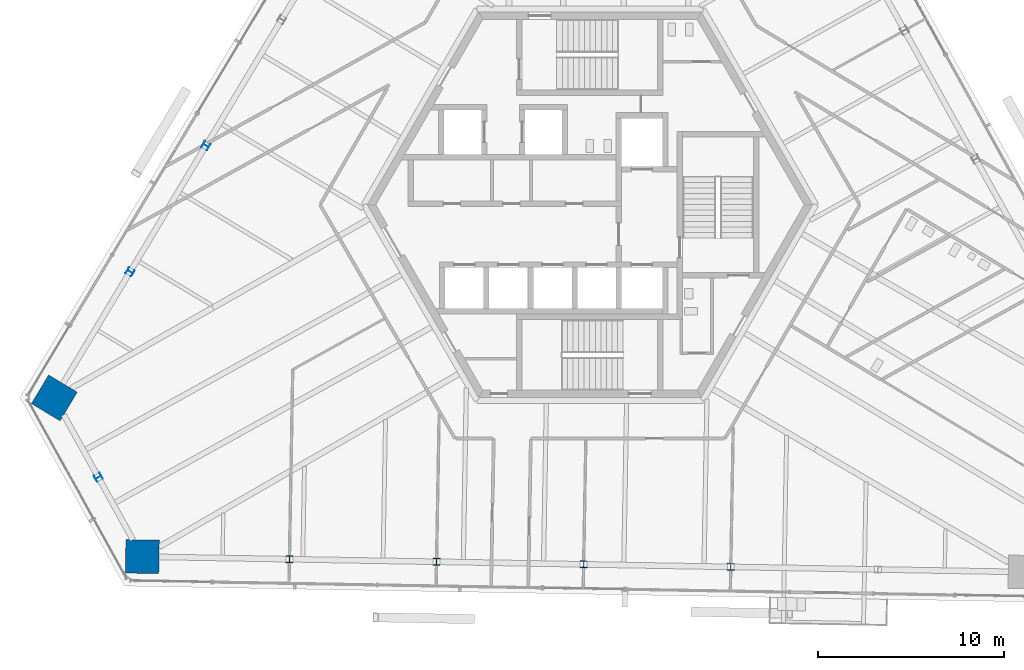
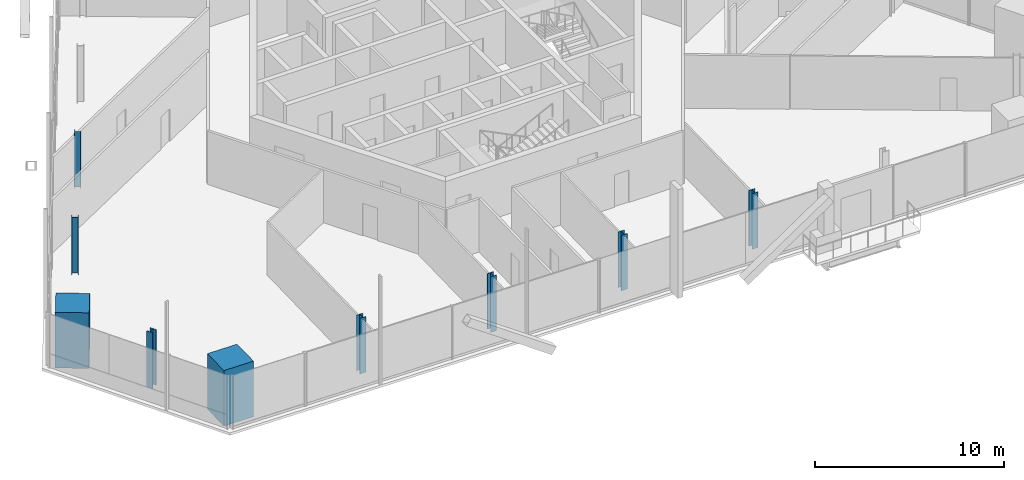
# One storey, part 1 of 21: 9 columns.
"""IFC4 building model written with IfcOpenShell, lengths in metres."""

from ifc_helpers import new_model, si_unit, direction, frame, origin, origin_2d, place, context, subcontext, project, spatial, rectangle, i_section, extrude, source, transform, mapped, material, material_profile, profile_set, type_object, element, save


model = new_model("IFC4")

# Units and contexts
model_context = context("Model", 3, precision=1e-05, world=origin(), true_north=direction((0.0, 1.0)))
body_context = subcontext(model_context, "Body", "Model", "MODEL_VIEW")
ifc_project = project(units=[si_unit("LENGTHUNIT", "METRE"), si_unit("AREAUNIT", "SQUARE_METRE"), si_unit("VOLUMEUNIT", "CUBIC_METRE"), si_unit("PLANEANGLEUNIT", "RADIAN"), si_unit("MASSUNIT", "GRAM", prefix="KILO")], contexts=[model_context])

# Site, building, storey
site_placement = place(None, origin())
site = spatial("IfcSite", under=ifc_project, at=site_placement, CompositionType="ELEMENT")
building_placement = place(site_placement, origin())
building = spatial("IfcBuilding", under=site, at=building_placement, Name="Triune Harvest Tower", CompositionType="ELEMENT")
storey_placement = place(building_placement, frame((0.0, 0.0, 201.5)))
storey = spatial("IfcBuildingStorey", under=building, at=storey_placement, Name="L52", CompositionType="ELEMENT", Elevation=201.5)

# Columns
ifc_material_1 = material(Name="Concrete 70 MPa", Category="concrete")
ifc_material_profile_1 = material_profile(ifc_material_1, rectangle(XDim=1.800048828125, YDim=1.800048828125, at=origin_2d()), Name="Composite 1800x1800")
ifc_profile_set_1 = profile_set([ifc_material_profile_1], Name="Concrete 70 MPa")
column_type_1 = type_object("IfcColumnType", Name="MC-5 Mega column Composite 1800x1800", PredefinedType="COLUMN", material=ifc_profile_set_1)
shared_shape_1 = source(origin(), body_context, "Body", "SweptSolid", [
    extrude(rectangle(XDim=1.800048828125, YDim=1.800048828125, at=origin_2d()), origin(), (0.0, 0.0, 1.0), 3.60009765625),
])
for number, where, z_axis, x_axis, name in (
    (1, (-28.85595703125, -10.406005859375, 0.0), (0.0, 0.0, 1.0), (-0.51503657887, -0.857168199612, 0.0), "col/L52/M14"),
    (2, (-24.1162109375, -18.956787109375, 0.0), (0.0, 0.0, 1.0), (0.999847695156, -0.017452406437, 0.0), "col/L52/M16"),
):
    element("IfcColumn", number, at=place(storey_placement, frame(where, z_axis=z_axis, x_axis=x_axis)), inside=storey, type_object=column_type_1, Name=name, PredefinedType="COLUMN", context=body_context, shape_type="MappedRepresentation", body=[
        mapped(shared_shape_1, transform((0.0, 0.0, 0.0), scale=1.0)),
    ])
ifc_material_2 = material(Name="Steel ASTM A992 Gr 50", Category="steel")
ifc_material_profile_2 = material_profile(ifc_material_2, i_section(OverallWidth=0.370849609375, OverallDepth=0.36328125, WebThickness=0.013427734375, FlangeThickness=0.021728515625, at=origin_2d()), Name="W14x109")
ifc_profile_set_2 = profile_set([ifc_material_profile_2], Name="Steel ASTM A992 Gr 50")
column_type_2 = type_object("IfcColumnType", Name="PC-5 Perimeter column W14x109", PredefinedType="COLUMN", material=ifc_profile_set_2)
shared_shape_2 = source(origin(), body_context, "Body", "SweptSolid", [
    extrude(i_section(OverallWidth=0.370849609375, OverallDepth=0.36328125, WebThickness=0.013427734375, FlangeThickness=0.021728515625, at=origin_2d()), origin(), (0.0, 0.0, 1.0), 3.60009765625),
])
for number, where, z_axis, x_axis, name in (
    (3, (-20.6904296875, 3.183837890625, 0.0), (0.0, 0.0, 1.0), (-0.51503657887, -0.857168199612, 0.0), "col/L52/P12"),
    (4, (-24.773193359375, -3.611083984375, 0.0), (0.0, 0.0, 1.0), (-0.51503657887, -0.857168199612, 0.0), "col/L52/P13"),
    (5, (-26.486083984375, -14.681396484375, 0.0), (0.0, 0.0, 1.0), (0.484808093746, -0.87462055329, 0.0), "col/L52/P15"),
    (6, (-16.190185546875, -19.09521484375, 0.0), (0.0, 0.0, 1.0), (0.999847695156, -0.017452406437, 0.0), "col/L52/P17"),
    (7, (-8.26416015625, -19.233642578125, 0.0), (0.0, 0.0, 1.0), (0.999847695156, -0.017452406437, 0.0), "col/L52/P18"),
    (8, (-0.338134765625, -19.3720703125, 0.0), (0.0, 0.0, 1.0), (0.999847695156, -0.017452406437, 0.0), "col/L52/P19"),
    (9, (7.587890625, -19.510498046875, 0.0), (0.0, 0.0, 1.0), (0.999847695156, -0.017452406437, 0.0), "col/L52/P20"),
):
    element("IfcColumn", number, at=place(storey_placement, frame(where, z_axis=z_axis, x_axis=x_axis)), inside=storey, type_object=column_type_2, Name=name, PredefinedType="COLUMN", context=body_context, shape_type="MappedRepresentation", body=[
        mapped(shared_shape_2, transform((0.0, 0.0, 0.0), scale=1.0)),
    ])

save(model, "model.ifc")
